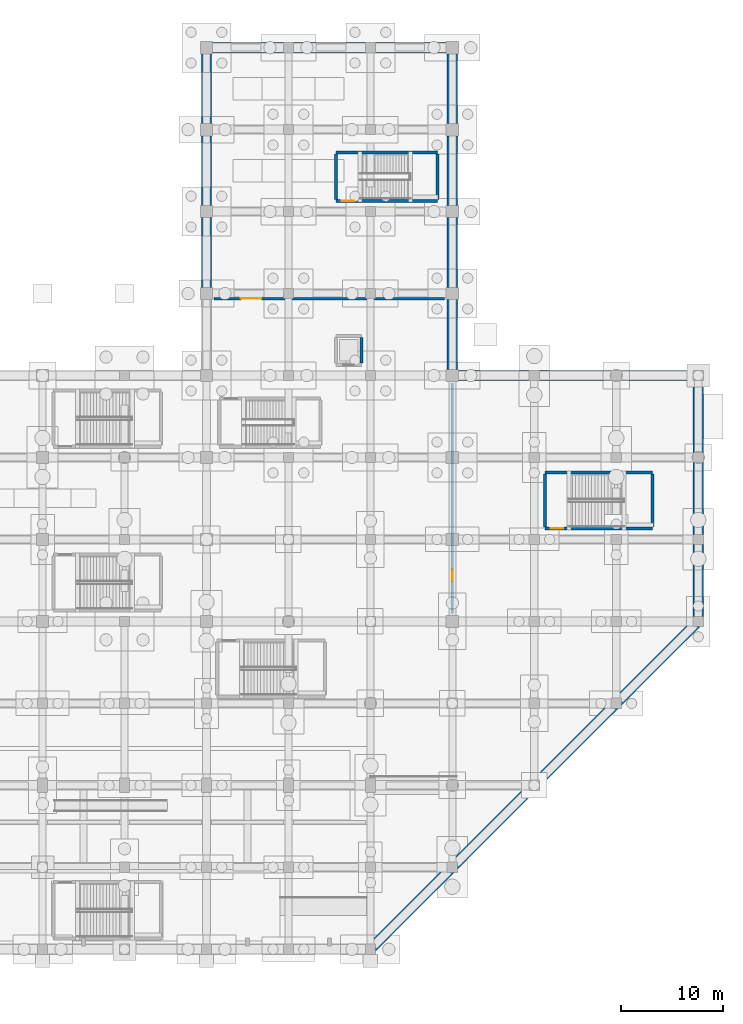
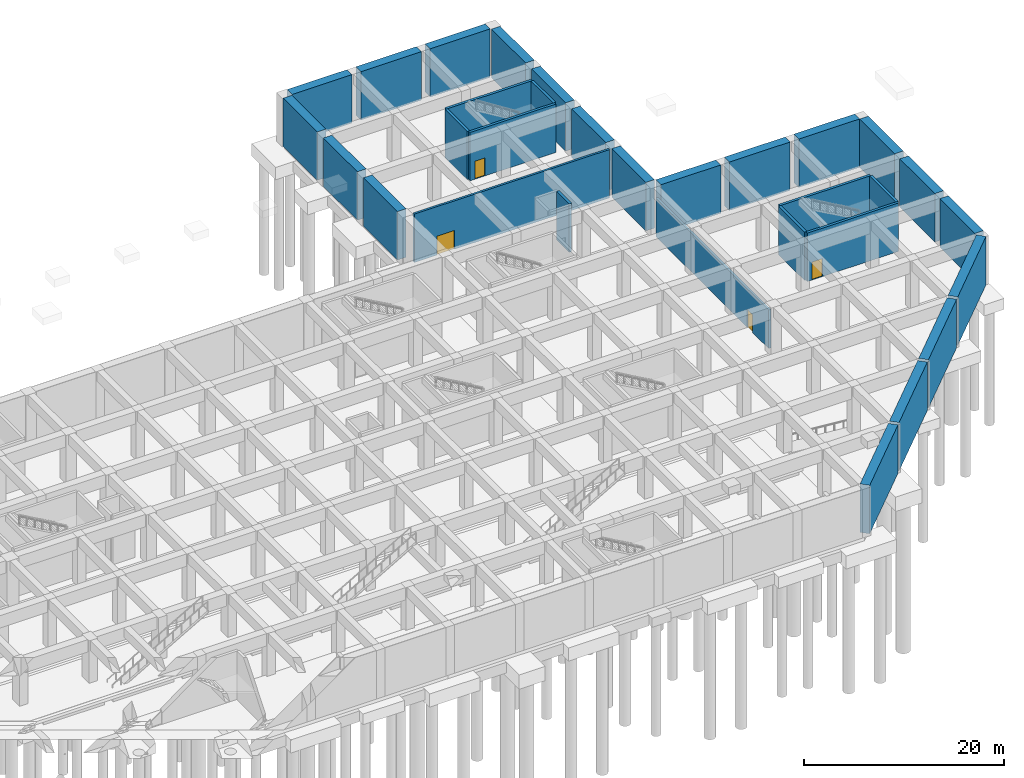
# One storey, part 19 of 26: 31 walls, 4 doors, 4 openings.
"""IFC4 building model written with IfcOpenShell, lengths in metres."""

from ifc_helpers import new_model, si_unit, direction, frame, frame_2d, origin, place, context, subcontext, project, spatial, rectangle, extrude, material, layer, layer_set, type_object, element, fill, save


model = new_model("IFC4")

# Units and contexts
model_context = context("Model", 3, precision=1e-05, world=origin(), true_north=direction((0.0, 1.0)))
body_context = subcontext(model_context, "Body", "Model", "MODEL_VIEW")
ifc_project = project(units=[si_unit("LENGTHUNIT", "METRE"), si_unit("AREAUNIT", "SQUARE_METRE"), si_unit("VOLUMEUNIT", "CUBIC_METRE"), si_unit("PLANEANGLEUNIT", "RADIAN"), si_unit("MASSUNIT", "GRAM", prefix="KILO")], contexts=[model_context])

# Site, building, storey
site_placement = place(None, origin())
site = spatial("IfcSite", under=ifc_project, at=site_placement, CompositionType="ELEMENT")
building_placement = place(site_placement, origin())
building = spatial("IfcBuilding", under=site, at=building_placement, Name="Varnela Railside Interchange", CompositionType="ELEMENT")
storey_placement = place(building_placement, frame((0.0, 0.0, -12.60009765625)))
storey = spatial("IfcBuildingStorey", under=building, at=storey_placement, Name="B2", CompositionType="ELEMENT", Elevation=-12.60009765625)

# Walls
ifc_material_1 = material(Name="Concrete C50", Category="concrete")
ifc_layer_1 = layer(ifc_material_1, 1.0)
ifc_layer_set_1 = layer_set([ifc_layer_1], Name="Concrete C50")
wall_type_1 = type_object("IfcWallType", Name="Perimeter Diaphragm Wall DW-01", PredefinedType="USERDEFINED", material=ifc_layer_set_1)
for number, where, z_axis, x_axis, name in (
    (1, (132.146484375, 6.146484375, 0.0), (0.0, 0.0, 1.0), (0.707106781187, 0.707106781187, 0.0), "Perimeter Diaphragm Wall DW-01 (B2) (WL-0056)"),
    (2, (140.146484375, 14.146484375, 0.0), (0.0, 0.0, 1.0), (0.707106781187, 0.707106781187, 0.0), "Perimeter Diaphragm Wall DW-01 (B2) (WL-0057)"),
    (3, (148.146484375, 22.146484375, 0.0), (0.0, 0.0, 1.0), (0.707106781187, 0.707106781187, 0.0), "Perimeter Diaphragm Wall DW-01 (B2) (WL-0058)"),
    (4, (156.146484375, 30.146484375, 0.0), (0.0, 0.0, 1.0), (0.707106781187, 0.707106781187, 0.0), "Perimeter Diaphragm Wall DW-01 (B2) (WL-0059)"),
):
    element("IfcWall", number, at=place(storey_placement, frame(where, z_axis=z_axis, x_axis=x_axis)), inside=storey, type_object=wall_type_1, Name=name, ObjectType="RETAININGWALL", PredefinedType="USERDEFINED", context=body_context, shape_type="SweptSolid", body=[
        extrude(rectangle(XDim=10.8994140625, YDim=1.0, at=frame_2d((5.44970703125, 0.0))), origin(), (0.0, 0.0, 1.0), 5.900146484375),
    ])
for number, where, z_axis, x_axis, name in (
    (5, (164.0, 38.5, 0.0), (0.0, 0.0, 1.0), (0.0, 1.0, 0.0), "Perimeter Diaphragm Wall DW-01 (B2) (WL-0030)"),
    (6, (164.0, 46.5, 0.0), (0.0, 0.0, 1.0), (0.0, 1.0, 0.0), "Perimeter Diaphragm Wall DW-01 (B2) (WL-0031)"),
    (7, (164.0, 54.5, 0.0), (0.0, 0.0, 1.0), (0.0, 1.0, 0.0), "Perimeter Diaphragm Wall DW-01 (B2) (WL-0032)"),
    (8, (163.5, 62.0, 0.0), (0.0, 0.0, 1.0), (-1.0, 0.0, 0.0), "Perimeter Diaphragm Wall DW-01 (B2) (WL-0027)"),
    (9, (155.5, 62.0, 0.0), (0.0, 0.0, 1.0), (-1.0, 0.0, 0.0), "Perimeter Diaphragm Wall DW-01 (B2) (WL-0028)"),
):
    element("IfcWall", number, at=place(storey_placement, frame(where, z_axis=z_axis, x_axis=x_axis)), inside=storey, type_object=wall_type_1, Name=name, ObjectType="RETAININGWALL", PredefinedType="USERDEFINED", context=body_context, shape_type="SweptSolid", body=[
        extrude(rectangle(XDim=7.0, YDim=1.0, at=frame_2d((3.5, 0.0))), origin(), (0.0, 0.0, 1.0), 5.900146484375),
    ])
wall_1_placement = place(storey_placement, frame((147.5, 62.0, 0.0), z_axis=(0.0, 0.0, 1.0), x_axis=(-1.0, 0.0, 0.0)))
element("IfcWall", 10, at=wall_1_placement, inside=storey, type_object=wall_type_1, Name="Perimeter Diaphragm Wall DW-01 (B2) (WL-0029)", ObjectType="RETAININGWALL", PredefinedType="USERDEFINED", context=body_context, shape_type="SweptSolid", body=[
    extrude(rectangle(XDim=6.89990234375, YDim=1.0, at=frame_2d((3.449951171875, 0.0))), origin(), (0.0, 0.0, 1.0), 5.900146484375),
])
for number, where, z_axis, x_axis, name in (
    (11, (140.0, 62.60009765625, 0.0), (0.0, 0.0, 1.0), (0.0, 1.0, 0.0), "Perimeter Diaphragm Wall DW-01 (B2) (WL-0036)"),
    (12, (140.0, 70.60009765625, 0.0), (0.0, 0.0, 1.0), (0.0, 1.0, 0.0), "Perimeter Diaphragm Wall DW-01 (B2) (WL-0037)"),
    (13, (140.0, 78.60009765625, 0.0), (0.0, 0.0, 1.0), (0.0, 1.0, 0.0), "Perimeter Diaphragm Wall DW-01 (B2) (WL-0038)"),
    (14, (140.0, 86.60009765625, 0.0), (0.0, 0.0, 1.0), (0.0, 1.0, 0.0), "Perimeter Diaphragm Wall DW-01 (B2) (WL-0039)"),
):
    element("IfcWall", number, at=place(storey_placement, frame(where, z_axis=z_axis, x_axis=x_axis)), inside=storey, type_object=wall_type_1, Name=name, ObjectType="RETAININGWALL", PredefinedType="USERDEFINED", context=body_context, shape_type="SweptSolid", body=[
        extrude(rectangle(XDim=6.7998046875, YDim=1.0, at=frame_2d((3.39990234375, 0.0))), origin(), (0.0, 0.0, 1.0), 5.900146484375),
    ])
wall_2_placement = place(storey_placement, frame((139.39990234375, 94.0, 0.0), z_axis=(0.0, 0.0, 1.0), x_axis=(-1.0, 0.0, 0.0)))
element("IfcWall", 15, at=wall_2_placement, inside=storey, type_object=wall_type_1, Name="Perimeter Diaphragm Wall DW-01 (B2) (WL-0033)", ObjectType="RETAININGWALL", PredefinedType="USERDEFINED", context=body_context, shape_type="SweptSolid", body=[
    extrude(rectangle(XDim=6.89990234375, YDim=1.0, at=frame_2d((3.449951171875, 0.0))), origin(), (0.0, 0.0, 1.0), 5.900146484375),
])
wall_3_placement = place(storey_placement, frame((131.5, 94.0, 0.0), z_axis=(0.0, 0.0, 1.0), x_axis=(-1.0, 0.0, 0.0)))
element("IfcWall", 16, at=wall_3_placement, inside=storey, type_object=wall_type_1, Name="Perimeter Diaphragm Wall DW-01 (B2) (WL-0034)", ObjectType="RETAININGWALL", PredefinedType="USERDEFINED", context=body_context, shape_type="SweptSolid", body=[
    extrude(rectangle(XDim=7.0, YDim=1.0, at=frame_2d((3.5, 0.0))), origin(), (0.0, 0.0, 1.0), 5.900146484375),
])
wall_4_placement = place(storey_placement, frame((123.5, 94.0, 0.0), z_axis=(0.0, 0.0, 1.0), x_axis=(-1.0, 0.0, 0.0)))
element("IfcWall", 17, at=wall_4_placement, inside=storey, type_object=wall_type_1, Name="Perimeter Diaphragm Wall DW-01 (B2) (WL-0035)", ObjectType="RETAININGWALL", PredefinedType="USERDEFINED", context=body_context, shape_type="SweptSolid", body=[
    extrude(rectangle(XDim=6.89990234375, YDim=1.0, at=frame_2d((3.449951171875, 0.0))), origin(), (0.0, 0.0, 1.0), 5.900146484375),
])
for number, where, z_axis, x_axis, name in (
    (18, (116.0, 93.39990234375, 0.0), (0.0, 0.0, 1.0), (0.0, -1.0, 0.0), "Perimeter Diaphragm Wall DW-01 (B2) (WL-0040)"),
    (19, (116.0, 85.39990234375, 0.0), (0.0, 0.0, 1.0), (0.0, -1.0, 0.0), "Perimeter Diaphragm Wall DW-01 (B2) (WL-0041)"),
    (20, (116.0, 77.39990234375, 0.0), (0.0, 0.0, 1.0), (0.0, -1.0, 0.0), "Perimeter Diaphragm Wall DW-01 (B2) (WL-0042)"),
):
    element("IfcWall", number, at=place(storey_placement, frame(where, z_axis=z_axis, x_axis=x_axis)), inside=storey, type_object=wall_type_1, Name=name, ObjectType="RETAININGWALL", PredefinedType="USERDEFINED", context=body_context, shape_type="SweptSolid", body=[
        extrude(rectangle(XDim=6.7998046875, YDim=1.0, at=frame_2d((3.39990234375, 0.0))), origin(), (0.0, 0.0, 1.0), 5.900146484375),
    ])
ifc_layer_2 = layer(ifc_material_1, 0.300048828125)
ifc_layer_set_2 = layer_set([ifc_layer_2], Name="Concrete C50")
wall_type_2 = type_object("IfcWallType", Name="Stair & Lift Shaft Wall SW-03", PredefinedType="SHEAR", material=ifc_layer_set_2)
wall_5_placement = place(storey_placement, frame((128.64990234375, 83.75, 0.0), z_axis=(0.0, 0.0, 1.0), x_axis=(1.0, 0.0, 0.0)))
element("IfcWall", 21, at=wall_5_placement, inside=storey, type_object=wall_type_2, Name="Stair & Lift Shaft Wall SW-03 (B2) (WL-0126)", PredefinedType="SHEAR", context=body_context, shape_type="SweptSolid", body=[
    extrude(rectangle(XDim=9.900146484375, YDim=0.300048828125, at=frame_2d((4.9501953125, 0.0))), origin(), (0.0, 0.0, 1.0), 5.900146484375),
])

# Wall, opening, door
wall_6_placement = place(storey_placement, frame((128.64990234375, 79.050048828125, 0.0), z_axis=(0.0, 0.0, 1.0), x_axis=(1.0, 0.0, 0.0)))
wall_6 = element("IfcWall", 22, at=wall_6_placement, inside=storey, type_object=wall_type_2, Name="Stair & Lift Shaft Wall SW-03 (B2) (WL-0127)", PredefinedType="SHEAR", context=body_context, shape_type="SweptSolid", body=[
    extrude(rectangle(XDim=9.900146484375, YDim=0.300048828125, at=frame_2d((4.9501953125, 0.0))), origin(), (0.0, 0.0, 1.0), 5.900146484375),
])
opening_1_placement = place(wall_6_placement, frame((0.550048828125, 0.0, 0.0)))
opening_1 = element("IfcOpeningElement", 23, at=opening_1_placement, cuts=wall_6, Name="Opening D-108", PredefinedType="OPENING", context=body_context, shape_type="SweptSolid", body=[
    extrude(rectangle(XDim=1.199951171875, YDim=2.199951171875, at=frame_2d((0.60009765625, 1.10009765625))), frame((0.0, 0.159912109375, 0.0), z_axis=(0.0, -1.0, 0.0), x_axis=(1.0, 0.0, 0.0)), (0.0, 0.0, 1.0), 0.320068359375),
])
ifc_material_2 = material(Name="Steel AR 350 (350 MPa)", Category="steel")
door_type_1 = type_object("IfcDoorType", Name="DR-SGL-1200-FD90", OperationType="NOTDEFINED", PredefinedType="DOOR", material=ifc_material_2)
door_1_placement = place(opening_1_placement, origin())
door_1 = element("IfcDoor", 24, at=door_1_placement, inside=storey, type_object=door_type_1, Name="Door D-108", OperationType="SINGLE_SWING_RIGHT", OverallHeight=2.199951171875, OverallWidth=1.199951171875, PredefinedType="DOOR", context=body_context, shape_type="SweptSolid", body=[
    extrude(rectangle(XDim=1.199951171875, YDim=2.199951171875, at=frame_2d((0.60009765625, 1.10009765625))), frame((0.0, 0.02490234375, 0.0), z_axis=(0.0, -1.0, 0.0), x_axis=(1.0, 0.0, 0.0)), (0.0, 0.0, 1.0), 0.050048828125),
])
fill(opening_1, door_1)

# Walls
for number, where, z_axis, x_axis, name in (
    (25, (128.64990234375, 79.199951171875, 0.0), (0.0, 0.0, 1.0), (0.0, 1.0, 0.0), "Stair & Lift Shaft Wall SW-03 (B2) (WL-0128)"),
    (26, (138.550048828125, 79.199951171875, 0.0), (0.0, 0.0, 1.0), (0.0, 1.0, 0.0), "Stair & Lift Shaft Wall SW-03 (B2) (WL-0125)"),
):
    element("IfcWall", number, at=place(storey_placement, frame(where, z_axis=z_axis, x_axis=x_axis)), inside=storey, type_object=wall_type_2, Name=name, PredefinedType="SHEAR", context=body_context, shape_type="SweptSolid", body=[
        extrude(rectangle(XDim=4.400146484375, YDim=0.300048828125, at=frame_2d((2.2001953125, 0.0))), origin(), (0.0, 0.0, 1.0), 5.900146484375),
    ])
wall_7_placement = place(storey_placement, frame((149.050048828125, 52.550048828125, 0.0), z_axis=(0.0, 0.0, 1.0), x_axis=(1.0, 0.0, 0.0)))
element("IfcWall", 27, at=wall_7_placement, inside=storey, type_object=wall_type_2, Name="Stair & Lift Shaft Wall SW-03 (B2) (WL-0130)", PredefinedType="SHEAR", context=body_context, shape_type="SweptSolid", body=[
    extrude(rectangle(XDim=10.5, YDim=0.300048828125, at=frame_2d((5.25, 0.0))), origin(), (0.0, 0.0, 1.0), 5.900146484375),
])

# Wall, opening, door
wall_8_placement = place(storey_placement, frame((149.050048828125, 47.050048828125, 0.0), z_axis=(0.0, 0.0, 1.0), x_axis=(1.0, 0.0, 0.0)))
wall_8 = element("IfcWall", 28, at=wall_8_placement, inside=storey, type_object=wall_type_2, Name="Stair & Lift Shaft Wall SW-03 (B2) (WL-0131)", PredefinedType="SHEAR", context=body_context, shape_type="SweptSolid", body=[
    extrude(rectangle(XDim=10.5, YDim=0.300048828125, at=frame_2d((5.25, 0.0))), origin(), (0.0, 0.0, 1.0), 5.900146484375),
])
opening_2_placement = place(wall_8_placement, frame((0.550048828125, 0.0, 0.0)))
opening_2 = element("IfcOpeningElement", 29, at=opening_2_placement, cuts=wall_8, Name="Opening D-109", PredefinedType="OPENING", context=body_context, shape_type="SweptSolid", body=[
    extrude(rectangle(XDim=1.199951171875, YDim=2.199951171875, at=frame_2d((0.60009765625, 1.10009765625))), frame((0.0, 0.159912109375, 0.0), z_axis=(0.0, -1.0, 0.0), x_axis=(1.0, 0.0, 0.0)), (0.0, 0.0, 1.0), 0.320068359375),
])
door_2_placement = place(opening_2_placement, origin())
door_2 = element("IfcDoor", 30, at=door_2_placement, inside=storey, type_object=door_type_1, Name="Door D-109", OperationType="SINGLE_SWING_LEFT", OverallHeight=2.199951171875, OverallWidth=1.199951171875, PredefinedType="DOOR", context=body_context, shape_type="SweptSolid", body=[
    extrude(rectangle(XDim=1.199951171875, YDim=2.199951171875, at=frame_2d((0.60009765625, 1.10009765625))), frame((0.0, 0.02490234375, 0.0), z_axis=(0.0, -1.0, 0.0), x_axis=(1.0, 0.0, 0.0)), (0.0, 0.0, 1.0), 0.050048828125),
])
fill(opening_2, door_2)

# Walls
for number, where, z_axis, x_axis, name in (
    (31, (149.050048828125, 47.199951171875, 0.0), (0.0, 0.0, 1.0), (0.0, 1.0, 0.0), "Stair & Lift Shaft Wall SW-03 (B2) (WL-0132)"),
    (32, (159.550048828125, 47.199951171875, 0.0), (0.0, 0.0, 1.0), (0.0, 1.0, 0.0), "Stair & Lift Shaft Wall SW-03 (B2) (WL-0129)"),
):
    element("IfcWall", number, at=place(storey_placement, frame(where, z_axis=z_axis, x_axis=x_axis)), inside=storey, type_object=wall_type_2, Name=name, PredefinedType="SHEAR", context=body_context, shape_type="SweptSolid", body=[
        extrude(rectangle(XDim=5.199951171875, YDim=0.300048828125, at=frame_2d((2.60009765625, 0.0))), origin(), (0.0, 0.0, 1.0), 5.900146484375),
    ])
wall_9_placement = place(storey_placement, frame((131.14990234375, 63.199951171875, 0.0), z_axis=(0.0, 0.0, 1.0), x_axis=(0.0, 1.0, 0.0)))
element("IfcWall", 33, at=wall_9_placement, inside=storey, type_object=wall_type_2, Name="Stair & Lift Shaft Wall SW-03 (B2) (WL-0101)", PredefinedType="SHEAR", context=body_context, shape_type="SweptSolid", body=[
    extrude(rectangle(XDim=2.5, YDim=0.300048828125, at=frame_2d((1.25, 0.0))), origin(), (0.0, 0.0, 1.0), 5.900146484375),
])

# Wall, opening, door
ifc_material_3 = material(Name="Concrete C40", Category="concrete")
ifc_layer_3 = layer(ifc_material_3, 0.25)
ifc_layer_set_3 = layer_set([ifc_layer_3], Name="Concrete C40")
wall_type_3 = type_object("IfcWallType", Name="Substation Fire Wall EI120 FW-03", PredefinedType="SOLIDWALL", material=ifc_layer_set_3)
wall_10_placement = place(storey_placement, frame((116.75, 69.5, 0.0), z_axis=(0.0, 0.0, 1.0), x_axis=(1.0, 0.0, 0.0)))
wall_10 = element("IfcWall", 34, at=wall_10_placement, inside=storey, type_object=wall_type_3, Name="Substation Fire Wall EI120 FW-03 (B2) (WL-0091)", PredefinedType="SOLIDWALL", context=body_context, shape_type="SweptSolid", body=[
    extrude(rectangle(XDim=22.5, YDim=0.25, at=frame_2d((11.25, 0.0))), origin(), (0.0, 0.0, 1.0), 5.900146484375),
])
opening_3_placement = place(wall_10_placement, frame((2.60009765625, 0.0, 0.0)))
opening_3 = element("IfcOpeningElement", 35, at=opening_3_placement, cuts=wall_10, Name="Opening D-121", PredefinedType="OPENING", context=body_context, shape_type="SweptSolid", body=[
    extrude(rectangle(XDim=2.0, YDim=2.300048828125, at=frame_2d((1.0, 1.14990234375))), frame((0.0, 0.135009765625, 0.0), z_axis=(0.0, -1.0, 0.0), x_axis=(1.0, 0.0, 0.0)), (0.0, 0.0, 1.0), 0.27001953125),
])
door_type_2 = type_object("IfcDoorType", Name="DR-DBL-2000-FD60", OperationType="DOUBLE_DOOR_SINGLE_SWING", PredefinedType="DOOR", material=ifc_material_2)
door_3_placement = place(opening_3_placement, origin())
door_3 = element("IfcDoor", 36, at=door_3_placement, inside=storey, type_object=door_type_2, Name="Door D-121", OperationType="DOUBLE_DOOR_SINGLE_SWING", OverallHeight=2.300048828125, OverallWidth=2.0, PredefinedType="DOOR", context=body_context, shape_type="SweptSolid", body=[
    extrude(rectangle(XDim=2.0, YDim=2.300048828125, at=frame_2d((1.0, 1.14990234375))), frame((0.0, 0.02490234375, 0.0), z_axis=(0.0, -1.0, 0.0), x_axis=(1.0, 0.0, 0.0)), (0.0, 0.0, 1.0), 0.050048828125),
])
fill(opening_3, door_3)

wall_11_placement = place(storey_placement, frame((140.0, 38.75, 0.0), z_axis=(0.0, 0.0, 1.0), x_axis=(0.0, 1.0, 0.0)))
wall_11 = element("IfcWall", 37, at=wall_11_placement, inside=storey, type_object=wall_type_3, Name="Substation Fire Wall EI120 FW-03 (B2) (WL-0089)", PredefinedType="SOLIDWALL", context=body_context, shape_type="SweptSolid", body=[
    extrude(rectangle(XDim=22.5, YDim=0.25, at=frame_2d((11.25, 0.0))), origin(), (0.0, 0.0, 1.0), 4.7001953125),
])
opening_4_placement = place(wall_11_placement, frame((3.199951171875, 0.0, 0.0)))
opening_4 = element("IfcOpeningElement", 38, at=opening_4_placement, cuts=wall_11, Name="Opening D-122", PredefinedType="OPENING", context=body_context, shape_type="SweptSolid", body=[
    extrude(rectangle(XDim=1.10009765625, YDim=2.14990234375, at=frame_2d((0.550048828125, 1.074951171875))), frame((0.0, 0.135009765625, 0.0), z_axis=(0.0, -1.0, 0.0), x_axis=(1.0, 0.0, 0.0)), (0.0, 0.0, 1.0), 0.27001953125),
])
door_type_3 = type_object("IfcDoorType", Name="DR-SGL-1100-FD60", OperationType="NOTDEFINED", PredefinedType="DOOR", material=ifc_material_2)
door_4_placement = place(opening_4_placement, origin())
door_4 = element("IfcDoor", 39, at=door_4_placement, inside=storey, type_object=door_type_3, Name="Door D-122", OperationType="SINGLE_SWING_RIGHT", OverallHeight=2.14990234375, OverallWidth=1.10009765625, PredefinedType="DOOR", context=body_context, shape_type="SweptSolid", body=[
    extrude(rectangle(XDim=1.10009765625, YDim=2.14990234375, at=frame_2d((0.550048828125, 1.074951171875))), frame((0.0, 0.02490234375, 0.0), z_axis=(0.0, -1.0, 0.0), x_axis=(1.0, 0.0, 0.0)), (0.0, 0.0, 1.0), 0.050048828125),
])
fill(opening_4, door_4)

save(model, "model.ifc")
